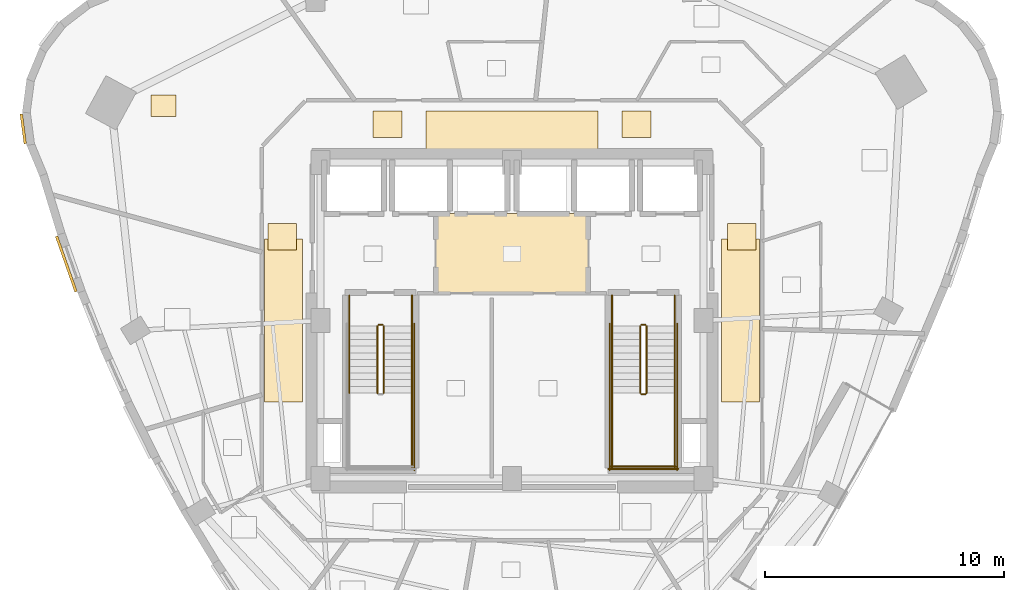
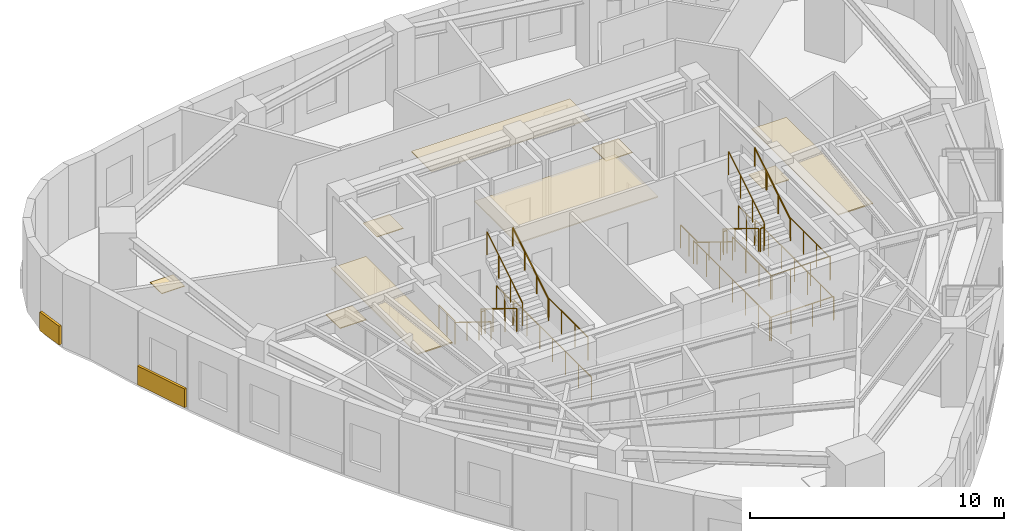
# One storey, part 11 of 12: 23 railings, 11 coverings.
"""IFC4 building model written with IfcOpenShell, lengths in metres."""

from ifc_helpers import new_model, si_unit, direction, frame, origin, origin_2d, place, context, subcontext, project, spatial, rectangle, circle, extrude, material, layer, layer_set, type_object, element, save


model = new_model("IFC4")

# Units and contexts
model_context = context("Model", 3, precision=1e-05, world=origin(), true_north=direction((0.0, 1.0)))
body_context = subcontext(model_context, "Body", "Model", "MODEL_VIEW")
ifc_project = project(units=[si_unit("LENGTHUNIT", "METRE"), si_unit("AREAUNIT", "SQUARE_METRE"), si_unit("VOLUMEUNIT", "CUBIC_METRE"), si_unit("PLANEANGLEUNIT", "RADIAN"), si_unit("MASSUNIT", "GRAM", prefix="KILO")], contexts=[model_context])

# Site, building, storey
site_placement = place(None, origin())
site = spatial("IfcSite", under=ifc_project, at=site_placement, CompositionType="ELEMENT")
building_placement = place(site_placement, origin())
building = spatial("IfcBuilding", under=site, at=building_placement, Name="Ndelora Gate Hotel", CompositionType="ELEMENT")
storey_placement = place(building_placement, frame((0.0, 0.0, 209.35009765625)))
storey = spatial("IfcBuildingStorey", under=building, at=storey_placement, Name="L52", CompositionType="ELEMENT", Elevation=209.35009765625)

# Coverings
ifc_material_1 = material(Name="Perforated Acoustic Gypsum Board", Category="gypsum")
ifc_layer_1 = layer(ifc_material_1, 0.054931640625)
ifc_layer_set_1 = layer_set([ifc_layer_1], Name="Perforated Acoustic Gypsum Board")
covering_type_1 = type_object("IfcCoveringType", Name="COV-CEIL-AC60", PredefinedType="CEILING", material=ifc_layer_set_1)
covering_1_placement = place(storey_placement, frame((0.0, 2.800048828125, 2.72265625), z_axis=(0.0, 0.0, 1.0), x_axis=(1.0, 0.0, 0.0)))
element("IfcCovering", 1, at=covering_1_placement, inside=storey, type_object=covering_type_1, Name="L52 Lift Lobby Acoustic Ceiling", PredefinedType="CEILING", context=body_context, shape_type="SweptSolid", body=[
    extrude(rectangle(XDim=6.39990234375, YDim=3.340087890625, at=origin_2d()), origin(), (0.0, 0.0, 1.0), 0.054931640625),
])
covering_2_placement = place(storey_placement, frame((0.0, 7.9599609375, 2.65234375), z_axis=(0.0, 0.0, 1.0), x_axis=(1.0, 0.0, 0.0)))
element("IfcCovering", 2, at=covering_2_placement, inside=storey, type_object=covering_type_1, Name="L52 Guest Corridor Acoustic Ceiling N", PredefinedType="CEILING", context=body_context, shape_type="SweptSolid", body=[
    extrude(rectangle(XDim=7.199951171875, YDim=1.580078125, at=origin_2d()), origin(), (0.0, 0.0, 1.0), 0.054931640625),
])
for number, where, z_axis, x_axis, name in (
    (3, (-9.550048828125, 0.0, 2.65234375), (0.0, 0.0, 1.0), (1.0, 0.0, 0.0), "L52 Guest Corridor Acoustic Ceiling W"),
    (4, (9.550048828125, 0.0, 2.65234375), (0.0, 0.0, 1.0), (1.0, 0.0, 0.0), "L52 Guest Corridor Acoustic Ceiling E"),
):
    element("IfcCovering", number, at=place(storey_placement, frame(where, z_axis=z_axis, x_axis=x_axis)), inside=storey, type_object=covering_type_1, Name=name, PredefinedType="CEILING", context=body_context, shape_type="SweptSolid", body=[
        extrude(rectangle(XDim=1.580078125, YDim=6.800048828125, at=origin_2d()), origin(), (0.0, 0.0, 1.0), 0.054931640625),
    ])
ifc_material_2 = material(Name="Terracotta Fired Clay Brick Slip Cladding", Category="masonry")
ifc_layer_2 = layer(ifc_material_2, 0.110107421875)
ifc_layer_set_2 = layer_set([ifc_layer_2], Name="Terracotta Fired Clay Brick Slip Cladding")
covering_type_2 = type_object("IfcCoveringType", Name="COV-CLAD-BRK", PredefinedType="CLADDING", material=ifc_layer_set_2)
covering_3_placement = place(storey_placement, frame((-20.42138671875, 8.0126953125, 0.099853515625), z_axis=(0.0, 0.0, 1.0), x_axis=(-0.13052619222, 0.991444861374, 0.0)))
element("IfcCovering", 5, at=covering_3_placement, inside=storey, type_object=covering_type_2, Name="L52 Rounded-Corner Brick Cladding Band 7", PredefinedType="CLADDING", context=body_context, shape_type="SweptSolid", body=[
    extrude(rectangle(XDim=1.257080078125, YDim=0.110107421875, at=origin_2d()), origin(), (0.0, 0.0, 1.0), 0.89990234375),
])
covering_4_placement = place(storey_placement, frame((-18.62451171875, 2.364990234375, 0.099853515625), z_axis=(0.0, 0.0, 1.0), x_axis=(-0.330679112019, 0.943743251565, 0.0)))
element("IfcCovering", 6, at=covering_4_placement, inside=storey, type_object=covering_type_2, Name="L52 Rounded-Corner Brick Cladding Band 10", PredefinedType="CLADDING", context=body_context, shape_type="SweptSolid", body=[
    extrude(rectangle(XDim=2.4599609375, YDim=0.110107421875, at=origin_2d()), origin(), (0.0, 0.0, 1.0), 0.89990234375),
])
ifc_material_3 = material(Name="Engineered Highland Oak Parquet", Category="wood")
ifc_layer_3 = layer(ifc_material_3, 0.030029296875)
ifc_layer_set_3 = layer_set([ifc_layer_3], Name="Engineered Highland Oak Parquet")
covering_type_3 = type_object("IfcCoveringType", Name="COV-FLR-PARQ", PredefinedType="FLOORING", material=ifc_layer_set_3)
covering_5_placement = place(storey_placement, frame((-14.556396484375, 8.970703125, 0.0), z_axis=(0.0, 0.0, 1.0), x_axis=(1.0, 0.0, 0.0)))
element("IfcCovering", 7, at=covering_5_placement, inside=storey, type_object=covering_type_3, Name="L52 Private Banquet Dining Room Oak Parquet Flooring", PredefinedType="FLOORING", context=body_context, shape_type="SweptSolid", body=[
    extrude(rectangle(XDim=1.050048828125, YDim=0.89990234375, at=origin_2d()), origin(), (0.0, 0.0, 1.0), 0.030029296875),
])
ifc_material_4 = material(Name="Polished Highland Stone Terrazzo", Category="masonry")
ifc_layer_4 = layer(ifc_material_4, 0.034912109375)
ifc_layer_set_4 = layer_set([ifc_layer_4], Name="Polished Highland Stone Terrazzo")
covering_type_4 = type_object("IfcCoveringType", Name="COV-FLR-TERZ", PredefinedType="FLOORING", material=ifc_layer_set_4)
for number, where, z_axis, x_axis, name in (
    (8, (-5.199951171875, 8.199951171875, 0.0), (0.0, 0.0, 1.0), (1.0, 0.0, 0.0), "L52 Corridor Threshold Terrazzo Inlay NW"),
    (9, (5.199951171875, 8.199951171875, 0.0), (0.0, 0.0, 1.0), (1.0, 0.0, 0.0), "L52 Corridor Threshold Terrazzo Inlay NE"),
    (10, (-9.60009765625, 3.5, 0.0), (0.0, 0.0, 1.0), (1.0, 0.0, 0.0), "L52 Corridor Threshold Terrazzo Inlay W"),
    (11, (9.60009765625, 3.5, 0.0), (0.0, 0.0, 1.0), (1.0, 0.0, 0.0), "L52 Corridor Threshold Terrazzo Inlay E"),
):
    element("IfcCovering", number, at=place(storey_placement, frame(where, z_axis=z_axis, x_axis=x_axis)), inside=storey, type_object=covering_type_4, Name=name, PredefinedType="FLOORING", context=body_context, shape_type="SweptSolid", body=[
        extrude(rectangle(XDim=1.199951171875, YDim=1.10009765625, at=origin_2d()), origin(), (0.0, 0.0, 1.0), 0.034912109375),
    ])

# Railings
ifc_material_5 = material(Name="Painted Galvanized Steel Balustrade", Category="steel")
ifc_layer_5 = layer(ifc_material_5, 0.06005859375)
ifc_layer_set_5 = layer_set([ifc_layer_5], Name="Painted Galvanized Steel Balustrade")
railing_type_1 = type_object("IfcRailingType", Name="RL-STAIR-GD", PredefinedType="GUARDRAIL", material=ifc_layer_set_5)
railing_1_placement = place(storey_placement, frame((-5.6201171875, -0.22998046875, 0.172607421875)))
element("IfcRailing", 12, at=railing_1_placement, inside=storey, type_object=railing_type_1, Name="L52 ST4 stair guard 1", PredefinedType="GUARDRAIL", context=body_context, shape_type="SweptSolid", body=[
    extrude(circle(Radius=0.02392578125, at=origin_2d()), frame((0.0, 0.0, 1.10595703125), z_axis=(0.0, -0.851089632645, 0.525020415988), x_axis=(1.0, 0.0, 0.0)), (0.0, 0.0, 1.0), 3.2900390625),
    extrude(circle(Radius=0.02099609375, at=origin_2d()), origin(), (0.0, 0.0, 1.0), 1.081787109375),
    extrude(circle(Radius=0.02099609375, at=origin_2d()), frame((0.0, -0.933349609375, 0.57568359375)), (0.0, 0.0, 1.0), 1.081787109375),
    extrude(circle(Radius=0.02099609375, at=origin_2d()), frame((0.0, -1.86669921875, 1.151611328125)), (0.0, 0.0, 1.0), 1.081787109375),
    extrude(circle(Radius=0.02099609375, at=origin_2d()), frame((0.0, -2.800048828125, 1.727294921875)), (0.0, 0.0, 1.0), 1.081787109375),
])
railing_2_placement = place(storey_placement, frame((-4.179931640625, -3.030029296875, 1.89990234375)))
element("IfcRailing", 13, at=railing_2_placement, inside=storey, type_object=railing_type_1, Name="L52 ST4 stair guard 4", PredefinedType="GUARDRAIL", context=body_context, shape_type="SweptSolid", body=[
    extrude(circle(Radius=0.02392578125, at=origin_2d()), frame((0.0, 0.0, 1.10595703125), z_axis=(0.0, -1.0, 0.0), x_axis=(1.0, 0.0, 0.0)), (0.0, 0.0, 1.0), 3.119873046875),
    extrude(circle(Radius=0.02099609375, at=origin_2d()), origin(), (0.0, 0.0, 1.0), 1.081787109375),
    extrude(circle(Radius=0.02099609375, at=origin_2d()), frame((0.0, -1.0400390625, 0.0)), (0.0, 0.0, 1.0), 1.081787109375),
    extrude(circle(Radius=0.02099609375, at=origin_2d()), frame((0.0, -2.079833984375, 0.0)), (0.0, 0.0, 1.0), 1.081787109375),
    extrude(circle(Radius=0.02099609375, at=origin_2d()), frame((0.0, -3.119873046875, 0.0)), (0.0, 0.0, 1.0), 1.081787109375),
])
railing_3_placement = place(storey_placement, frame((-5.360107421875, -3.030029296875, 2.072509765625)))
element("IfcRailing", 14, at=railing_3_placement, inside=storey, type_object=railing_type_1, Name="L52 ST4 stair guard 6", PredefinedType="GUARDRAIL", context=body_context, shape_type="SweptSolid", body=[
    extrude(circle(Radius=0.02392578125, at=origin_2d()), frame((0.0, 0.0, 1.10595703125), z_axis=(0.0, 0.851089632645, 0.525020415988), x_axis=(-1.0, 0.0, 0.0)), (0.0, 0.0, 1.0), 3.2900390625),
    extrude(circle(Radius=0.02099609375, at=origin_2d()), origin(), (0.0, 0.0, 1.0), 1.081787109375),
    extrude(circle(Radius=0.02099609375, at=origin_2d()), frame((0.0, 0.933349609375, 0.57568359375)), (0.0, 0.0, 1.0), 1.081787109375),
    extrude(circle(Radius=0.02099609375, at=origin_2d()), frame((0.0, 1.86669921875, 1.151611328125)), (0.0, 0.0, 1.0), 1.081787109375),
    extrude(circle(Radius=0.02099609375, at=origin_2d()), frame((0.0, 2.800048828125, 1.727294921875)), (0.0, 0.0, 1.0), 1.081787109375),
])
railing_4_placement = place(storey_placement, frame((-5.570068359375, -0.179931640625, 0.0)))
element("IfcRailing", 15, at=railing_4_placement, inside=storey, type_object=railing_type_1, Name="L52 ST4 stair guard 7", PredefinedType="GUARDRAIL", context=body_context, shape_type="SweptSolid", body=[
    extrude(circle(Radius=0.02392578125, at=origin_2d()), frame((0.0, 0.0, 1.10595703125), z_axis=(1.0, 0.0, 0.0), x_axis=(0.0, 1.0, 0.0)), (0.0, 0.0, 1.0), 0.16015625),
    extrude(circle(Radius=0.02099609375, at=origin_2d()), origin(), (0.0, 0.0, 1.0), 1.081787109375),
    extrude(circle(Radius=0.02099609375, at=origin_2d()), frame((0.16015625, 0.0, 0.0)), (0.0, 0.0, 1.0), 1.081787109375),
])
for number, where, name in (
    (16, (-6.800048828125, 1.050048828125, 0.0), "L52 ST4 stair guard 8"),
    (17, (-4.179931640625, 1.050048828125, 0.0), "L52 ST4 stair guard 9"),
):
    element("IfcRailing", number, at=place(storey_placement, frame(where)), inside=storey, type_object=railing_type_1, Name=name, PredefinedType="GUARDRAIL", context=body_context, shape_type="SweptSolid", body=[
        extrude(circle(Radius=0.02392578125, at=origin_2d()), frame((0.0, 0.0, 1.10595703125), z_axis=(0.0, -1.0, 0.0), x_axis=(1.0, 0.0, 0.0)), (0.0, 0.0, 1.0), 1.280029296875),
        extrude(circle(Radius=0.02099609375, at=origin_2d()), origin(), (0.0, 0.0, 1.0), 1.081787109375),
        extrude(circle(Radius=0.02099609375, at=origin_2d()), frame((0.0, -0.64013671875, 0.0)), (0.0, 0.0, 1.0), 1.081787109375),
        extrude(circle(Radius=0.02099609375, at=origin_2d()), frame((0.0, -1.280029296875, 0.0)), (0.0, 0.0, 1.0), 1.081787109375),
    ])
railing_5_placement = place(storey_placement, frame((-4.080078125, -0.1298828125, 0.0)))
element("IfcRailing", 18, at=railing_5_placement, inside=storey, type_object=railing_type_1, Name="L52 ST4 stair guard 11", PredefinedType="GUARDRAIL", context=body_context, shape_type="SweptSolid", body=[
    extrude(circle(Radius=0.02392578125, at=origin_2d()), frame((0.0, 0.0, 1.10595703125), z_axis=(0.0, -1.0, 0.0), x_axis=(1.0, 0.0, 0.0)), (0.0, 0.0, 1.0), 6.1201171875),
    extrude(circle(Radius=0.02099609375, at=origin_2d()), origin(), (0.0, 0.0, 1.0), 1.081787109375),
    extrude(circle(Radius=0.02099609375, at=origin_2d()), frame((0.0, -1.02001953125, 0.0)), (0.0, 0.0, 1.0), 1.081787109375),
    extrude(circle(Radius=0.02099609375, at=origin_2d()), frame((0.0, -2.0400390625, 0.0)), (0.0, 0.0, 1.0), 1.081787109375),
    extrude(circle(Radius=0.02099609375, at=origin_2d()), frame((0.0, -3.06005859375, 0.0)), (0.0, 0.0, 1.0), 1.081787109375),
    extrude(circle(Radius=0.02099609375, at=origin_2d()), frame((0.0, -4.080078125, 0.0)), (0.0, 0.0, 1.0), 1.081787109375),
    extrude(circle(Radius=0.02099609375, at=origin_2d()), frame((0.0, -5.10009765625, 0.0)), (0.0, 0.0, 1.0), 1.081787109375),
    extrude(circle(Radius=0.02099609375, at=origin_2d()), frame((0.0, -6.1201171875, 0.0)), (0.0, 0.0, 1.0), 1.081787109375),
])
railing_6_placement = place(storey_placement, frame((5.360107421875, -0.22998046875, 0.172607421875)))
element("IfcRailing", 19, at=railing_6_placement, inside=storey, type_object=railing_type_1, Name="L52 ST5 stair guard 1", PredefinedType="GUARDRAIL", context=body_context, shape_type="SweptSolid", body=[
    extrude(circle(Radius=0.02392578125, at=origin_2d()), frame((0.0, 0.0, 1.10595703125), z_axis=(0.0, -0.851089632645, 0.525020415988), x_axis=(1.0, 0.0, 0.0)), (0.0, 0.0, 1.0), 3.2900390625),
    extrude(circle(Radius=0.02099609375, at=origin_2d()), origin(), (0.0, 0.0, 1.0), 1.081787109375),
    extrude(circle(Radius=0.02099609375, at=origin_2d()), frame((0.0, -0.933349609375, 0.57568359375)), (0.0, 0.0, 1.0), 1.081787109375),
    extrude(circle(Radius=0.02099609375, at=origin_2d()), frame((0.0, -1.86669921875, 1.151611328125)), (0.0, 0.0, 1.0), 1.081787109375),
    extrude(circle(Radius=0.02099609375, at=origin_2d()), frame((0.0, -2.800048828125, 1.727294921875)), (0.0, 0.0, 1.0), 1.081787109375),
])
railing_7_placement = place(storey_placement, frame((5.409912109375, -3.080078125, 1.89990234375)))
element("IfcRailing", 20, at=railing_7_placement, inside=storey, type_object=railing_type_1, Name="L52 ST5 stair guard 2", PredefinedType="GUARDRAIL", context=body_context, shape_type="SweptSolid", body=[
    extrude(circle(Radius=0.02392578125, at=origin_2d()), frame((0.0, 0.0, 1.10595703125), z_axis=(1.0, 0.0, 0.0), x_axis=(0.0, 1.0, 0.0)), (0.0, 0.0, 1.0), 0.16015625),
    extrude(circle(Radius=0.02099609375, at=origin_2d()), origin(), (0.0, 0.0, 1.0), 1.081787109375),
    extrude(circle(Radius=0.02099609375, at=origin_2d()), frame((0.16015625, 0.0, 0.0)), (0.0, 0.0, 1.0), 1.081787109375),
])
for number, where, name in (
    (21, (4.179931640625, -3.030029296875, 1.89990234375), "L52 ST5 stair guard 3"),
    (22, (6.800048828125, -3.030029296875, 1.89990234375), "L52 ST5 stair guard 4"),
):
    element("IfcRailing", number, at=place(storey_placement, frame(where)), inside=storey, type_object=railing_type_1, Name=name, PredefinedType="GUARDRAIL", context=body_context, shape_type="SweptSolid", body=[
        extrude(circle(Radius=0.02392578125, at=origin_2d()), frame((0.0, 0.0, 1.10595703125), z_axis=(0.0, -1.0, 0.0), x_axis=(1.0, 0.0, 0.0)), (0.0, 0.0, 1.0), 3.119873046875),
        extrude(circle(Radius=0.02099609375, at=origin_2d()), origin(), (0.0, 0.0, 1.0), 1.081787109375),
        extrude(circle(Radius=0.02099609375, at=origin_2d()), frame((0.0, -1.0400390625, 0.0)), (0.0, 0.0, 1.0), 1.081787109375),
        extrude(circle(Radius=0.02099609375, at=origin_2d()), frame((0.0, -2.079833984375, 0.0)), (0.0, 0.0, 1.0), 1.081787109375),
        extrude(circle(Radius=0.02099609375, at=origin_2d()), frame((0.0, -3.119873046875, 0.0)), (0.0, 0.0, 1.0), 1.081787109375),
    ])
railing_8_placement = place(storey_placement, frame((4.1298828125, -6.10009765625, 1.89990234375)))
element("IfcRailing", 23, at=railing_8_placement, inside=storey, type_object=railing_type_1, Name="L52 ST5 stair guard 5", PredefinedType="GUARDRAIL", context=body_context, shape_type="SweptSolid", body=[
    extrude(circle(Radius=0.02392578125, at=origin_2d()), frame((0.0, 0.0, 1.10595703125), z_axis=(1.0, 0.0, 0.0), x_axis=(0.0, 1.0, 0.0)), (0.0, 0.0, 1.0), 2.72021484375),
    extrude(circle(Radius=0.02099609375, at=origin_2d()), origin(), (0.0, 0.0, 1.0), 1.081787109375),
    extrude(circle(Radius=0.02099609375, at=origin_2d()), frame((0.90673828125, 0.0, 0.0)), (0.0, 0.0, 1.0), 1.081787109375),
    extrude(circle(Radius=0.02099609375, at=origin_2d()), frame((1.8134765625, 0.0, 0.0)), (0.0, 0.0, 1.0), 1.081787109375),
    extrude(circle(Radius=0.02099609375, at=origin_2d()), frame((2.72021484375, 0.0, 0.0)), (0.0, 0.0, 1.0), 1.081787109375),
])
railing_9_placement = place(storey_placement, frame((5.6201171875, -3.030029296875, 2.072509765625)))
element("IfcRailing", 24, at=railing_9_placement, inside=storey, type_object=railing_type_1, Name="L52 ST5 stair guard 6", PredefinedType="GUARDRAIL", context=body_context, shape_type="SweptSolid", body=[
    extrude(circle(Radius=0.02392578125, at=origin_2d()), frame((0.0, 0.0, 1.10595703125), z_axis=(0.0, 0.851089632645, 0.525020415988), x_axis=(-1.0, 0.0, 0.0)), (0.0, 0.0, 1.0), 3.2900390625),
    extrude(circle(Radius=0.02099609375, at=origin_2d()), origin(), (0.0, 0.0, 1.0), 1.081787109375),
    extrude(circle(Radius=0.02099609375, at=origin_2d()), frame((0.0, 0.933349609375, 0.57568359375)), (0.0, 0.0, 1.0), 1.081787109375),
    extrude(circle(Radius=0.02099609375, at=origin_2d()), frame((0.0, 1.86669921875, 1.151611328125)), (0.0, 0.0, 1.0), 1.081787109375),
    extrude(circle(Radius=0.02099609375, at=origin_2d()), frame((0.0, 2.800048828125, 1.727294921875)), (0.0, 0.0, 1.0), 1.081787109375),
])
railing_10_placement = place(storey_placement, frame((5.409912109375, -0.179931640625, 0.0)))
element("IfcRailing", 25, at=railing_10_placement, inside=storey, type_object=railing_type_1, Name="L52 ST5 stair guard 7", PredefinedType="GUARDRAIL", context=body_context, shape_type="SweptSolid", body=[
    extrude(circle(Radius=0.02392578125, at=origin_2d()), frame((0.0, 0.0, 1.10595703125), z_axis=(1.0, 0.0, 0.0), x_axis=(0.0, 1.0, 0.0)), (0.0, 0.0, 1.0), 0.16015625),
    extrude(circle(Radius=0.02099609375, at=origin_2d()), origin(), (0.0, 0.0, 1.0), 1.081787109375),
    extrude(circle(Radius=0.02099609375, at=origin_2d()), frame((0.16015625, 0.0, 0.0)), (0.0, 0.0, 1.0), 1.081787109375),
])
for number, where, name in (
    (26, (4.179931640625, 1.050048828125, 0.0), "L52 ST5 stair guard 8"),
    (27, (6.800048828125, 1.050048828125, 0.0), "L52 ST5 stair guard 9"),
):
    element("IfcRailing", number, at=place(storey_placement, frame(where)), inside=storey, type_object=railing_type_1, Name=name, PredefinedType="GUARDRAIL", context=body_context, shape_type="SweptSolid", body=[
        extrude(circle(Radius=0.02392578125, at=origin_2d()), frame((0.0, 0.0, 1.10595703125), z_axis=(0.0, -1.0, 0.0), x_axis=(1.0, 0.0, 0.0)), (0.0, 0.0, 1.0), 1.280029296875),
        extrude(circle(Radius=0.02099609375, at=origin_2d()), origin(), (0.0, 0.0, 1.0), 1.081787109375),
        extrude(circle(Radius=0.02099609375, at=origin_2d()), frame((0.0, -0.64013671875, 0.0)), (0.0, 0.0, 1.0), 1.081787109375),
        extrude(circle(Radius=0.02099609375, at=origin_2d()), frame((0.0, -1.280029296875, 0.0)), (0.0, 0.0, 1.0), 1.081787109375),
    ])
for number, where, name in (
    (28, (4.080078125, -0.1298828125, 0.0), "L52 ST5 stair guard 10"),
    (29, (6.89990234375, -0.1298828125, 0.0), "L52 ST5 stair guard 11"),
):
    element("IfcRailing", number, at=place(storey_placement, frame(where)), inside=storey, type_object=railing_type_1, Name=name, PredefinedType="GUARDRAIL", context=body_context, shape_type="SweptSolid", body=[
        extrude(circle(Radius=0.02392578125, at=origin_2d()), frame((0.0, 0.0, 1.10595703125), z_axis=(0.0, -1.0, 0.0), x_axis=(1.0, 0.0, 0.0)), (0.0, 0.0, 1.0), 6.1201171875),
        extrude(circle(Radius=0.02099609375, at=origin_2d()), origin(), (0.0, 0.0, 1.0), 1.081787109375),
        extrude(circle(Radius=0.02099609375, at=origin_2d()), frame((0.0, -1.02001953125, 0.0)), (0.0, 0.0, 1.0), 1.081787109375),
        extrude(circle(Radius=0.02099609375, at=origin_2d()), frame((0.0, -2.0400390625, 0.0)), (0.0, 0.0, 1.0), 1.081787109375),
        extrude(circle(Radius=0.02099609375, at=origin_2d()), frame((0.0, -3.06005859375, 0.0)), (0.0, 0.0, 1.0), 1.081787109375),
        extrude(circle(Radius=0.02099609375, at=origin_2d()), frame((0.0, -4.080078125, 0.0)), (0.0, 0.0, 1.0), 1.081787109375),
        extrude(circle(Radius=0.02099609375, at=origin_2d()), frame((0.0, -5.10009765625, 0.0)), (0.0, 0.0, 1.0), 1.081787109375),
        extrude(circle(Radius=0.02099609375, at=origin_2d()), frame((0.0, -6.1201171875, 0.0)), (0.0, 0.0, 1.0), 1.081787109375),
    ])
railing_11_placement = place(storey_placement, frame((4.030029296875, -6.199951171875, 0.0)))
element("IfcRailing", 30, at=railing_11_placement, inside=storey, type_object=railing_type_1, Name="L52 ST5 stair guard 12", PredefinedType="GUARDRAIL", context=body_context, shape_type="SweptSolid", body=[
    extrude(circle(Radius=0.02392578125, at=origin_2d()), frame((0.0, 0.0, 1.10595703125), z_axis=(1.0, 0.0, 0.0), x_axis=(0.0, 1.0, 0.0)), (0.0, 0.0, 1.0), 2.919921875),
    extrude(circle(Radius=0.02099609375, at=origin_2d()), origin(), (0.0, 0.0, 1.0), 1.081787109375),
    extrude(circle(Radius=0.02099609375, at=origin_2d()), frame((0.973388671875, 0.0, 0.0)), (0.0, 0.0, 1.0), 1.081787109375),
    extrude(circle(Radius=0.02099609375, at=origin_2d()), frame((1.946533203125, 0.0, 0.0)), (0.0, 0.0, 1.0), 1.081787109375),
    extrude(circle(Radius=0.02099609375, at=origin_2d()), frame((2.919921875, 0.0, 0.0)), (0.0, 0.0, 1.0), 1.081787109375),
])
ifc_material_6 = material(Name="Brushed Stainless Steel 316", Category="steel")
ifc_layer_6 = layer(ifc_material_6, 0.050048828125)
ifc_layer_set_6 = layer_set([ifc_layer_6], Name="Brushed Stainless Steel 316")
railing_type_2 = type_object("IfcRailingType", Name="RL-STAIR-HR", PredefinedType="HANDRAIL", material=ifc_layer_set_6)
railing_12_placement = place(storey_placement, frame((-6.800048828125, -0.22998046875, 0.172607421875)))
element("IfcRailing", 31, at=railing_12_placement, inside=storey, type_object=railing_type_2, Name="L52 ST4 stair handrail 1", PredefinedType="HANDRAIL", context=body_context, shape_type="SweptSolid", body=[
    extrude(circle(Radius=0.02392578125, at=origin_2d()), frame((0.0, 0.0, 0.8759765625), z_axis=(0.0, -0.851089632645, 0.525020415988), x_axis=(1.0, 0.0, 0.0)), (0.0, 0.0, 1.0), 3.2900390625),
    extrude(circle(Radius=0.02099609375, at=origin_2d()), origin(), (0.0, 0.0, 1.0), 0.851806640625),
    extrude(circle(Radius=0.02099609375, at=origin_2d()), frame((0.0, -0.933349609375, 0.57568359375)), (0.0, 0.0, 1.0), 0.851806640625),
    extrude(circle(Radius=0.02099609375, at=origin_2d()), frame((0.0, -1.86669921875, 1.151611328125)), (0.0, 0.0, 1.0), 0.851806640625),
    extrude(circle(Radius=0.02099609375, at=origin_2d()), frame((0.0, -2.800048828125, 1.727294921875)), (0.0, 0.0, 1.0), 0.851806640625),
])
railing_13_placement = place(storey_placement, frame((-4.179931640625, -3.030029296875, 2.072509765625)))
element("IfcRailing", 32, at=railing_13_placement, inside=storey, type_object=railing_type_2, Name="L52 ST4 stair handrail 2", PredefinedType="HANDRAIL", context=body_context, shape_type="SweptSolid", body=[
    extrude(circle(Radius=0.02392578125, at=origin_2d()), frame((0.0, 0.0, 0.8759765625), z_axis=(0.0, 0.851089632645, 0.525020415988), x_axis=(-1.0, 0.0, 0.0)), (0.0, 0.0, 1.0), 3.2900390625),
    extrude(circle(Radius=0.02099609375, at=origin_2d()), origin(), (0.0, 0.0, 1.0), 0.851806640625),
    extrude(circle(Radius=0.02099609375, at=origin_2d()), frame((0.0, 0.933349609375, 0.57568359375)), (0.0, 0.0, 1.0), 0.851806640625),
    extrude(circle(Radius=0.02099609375, at=origin_2d()), frame((0.0, 1.86669921875, 1.151611328125)), (0.0, 0.0, 1.0), 0.851806640625),
    extrude(circle(Radius=0.02099609375, at=origin_2d()), frame((0.0, 2.800048828125, 1.727294921875)), (0.0, 0.0, 1.0), 0.851806640625),
])
railing_14_placement = place(storey_placement, frame((4.179931640625, -0.22998046875, 0.172607421875)))
element("IfcRailing", 33, at=railing_14_placement, inside=storey, type_object=railing_type_2, Name="L52 ST5 stair handrail 1", PredefinedType="HANDRAIL", context=body_context, shape_type="SweptSolid", body=[
    extrude(circle(Radius=0.02392578125, at=origin_2d()), frame((0.0, 0.0, 0.8759765625), z_axis=(0.0, -0.851089632645, 0.525020415988), x_axis=(1.0, 0.0, 0.0)), (0.0, 0.0, 1.0), 3.2900390625),
    extrude(circle(Radius=0.02099609375, at=origin_2d()), origin(), (0.0, 0.0, 1.0), 0.851806640625),
    extrude(circle(Radius=0.02099609375, at=origin_2d()), frame((0.0, -0.933349609375, 0.57568359375)), (0.0, 0.0, 1.0), 0.851806640625),
    extrude(circle(Radius=0.02099609375, at=origin_2d()), frame((0.0, -1.86669921875, 1.151611328125)), (0.0, 0.0, 1.0), 0.851806640625),
    extrude(circle(Radius=0.02099609375, at=origin_2d()), frame((0.0, -2.800048828125, 1.727294921875)), (0.0, 0.0, 1.0), 0.851806640625),
])
railing_15_placement = place(storey_placement, frame((6.800048828125, -3.030029296875, 2.072509765625)))
element("IfcRailing", 34, at=railing_15_placement, inside=storey, type_object=railing_type_2, Name="L52 ST5 stair handrail 2", PredefinedType="HANDRAIL", context=body_context, shape_type="SweptSolid", body=[
    extrude(circle(Radius=0.02392578125, at=origin_2d()), frame((0.0, 0.0, 0.8759765625), z_axis=(0.0, 0.851089632645, 0.525020415988), x_axis=(-1.0, 0.0, 0.0)), (0.0, 0.0, 1.0), 3.2900390625),
    extrude(circle(Radius=0.02099609375, at=origin_2d()), origin(), (0.0, 0.0, 1.0), 0.851806640625),
    extrude(circle(Radius=0.02099609375, at=origin_2d()), frame((0.0, 0.933349609375, 0.57568359375)), (0.0, 0.0, 1.0), 0.851806640625),
    extrude(circle(Radius=0.02099609375, at=origin_2d()), frame((0.0, 1.86669921875, 1.151611328125)), (0.0, 0.0, 1.0), 0.851806640625),
    extrude(circle(Radius=0.02099609375, at=origin_2d()), frame((0.0, 2.800048828125, 1.727294921875)), (0.0, 0.0, 1.0), 0.851806640625),
])

save(model, "model.ifc")
